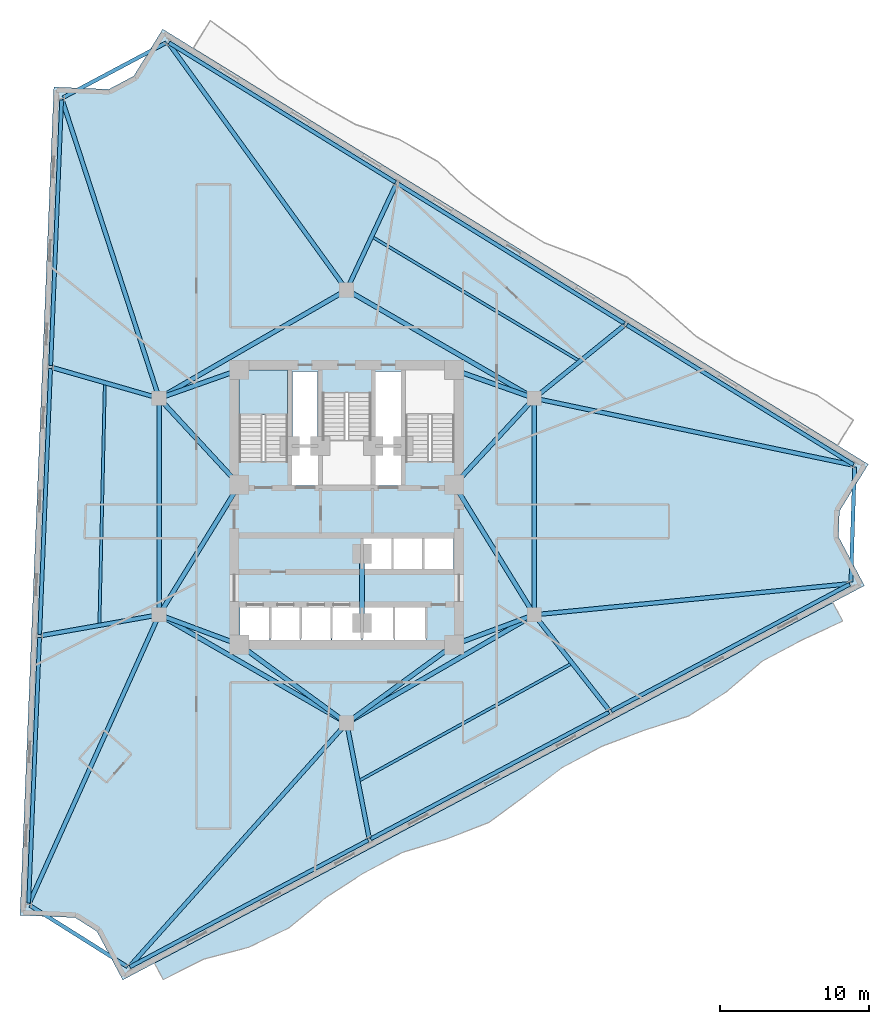
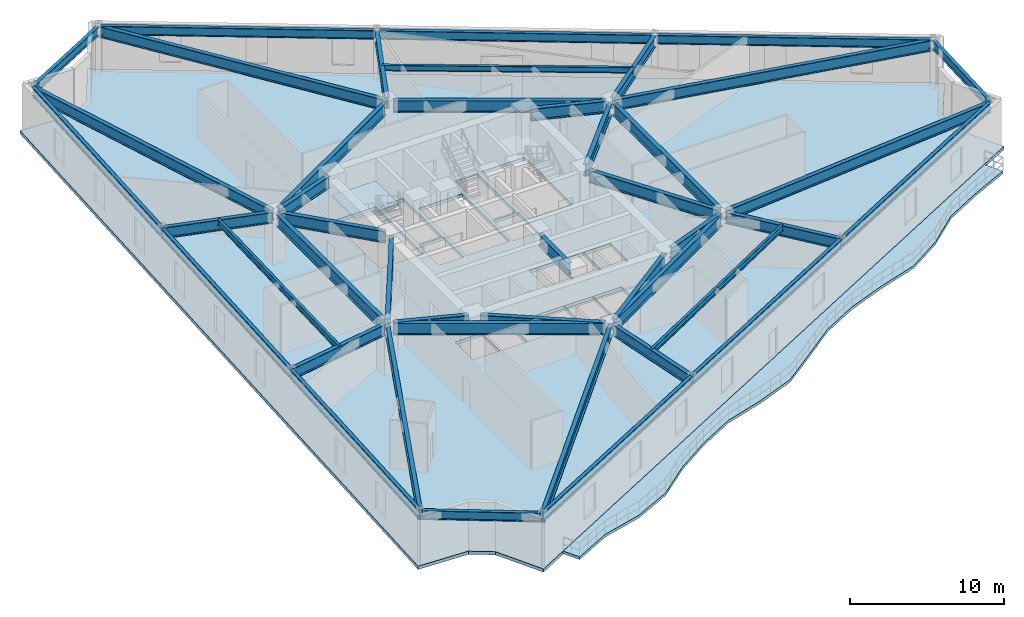
# One storey, part 3 of 11: 44 beams, 3 slabs, 1 element without a shape of its own.
"""IFC4 building model written with IfcOpenShell, lengths in metres."""

from ifc_helpers import new_model, si_unit, direction, frame, origin, origin_2d, place, context, subcontext, project, spatial, polyline, i_section, outline, extrude, material, layer, layer_set, material_profile, profile_set, type_object, element, aggregate, save


model = new_model("IFC4")

# Units and contexts
model_context = context("Model", 3, precision=1e-05, world=origin(), true_north=direction((0.0, 1.0)))
body_context = subcontext(model_context, "Body", "Model", "MODEL_VIEW")
ifc_project = project(units=[si_unit("LENGTHUNIT", "METRE"), si_unit("AREAUNIT", "SQUARE_METRE"), si_unit("VOLUMEUNIT", "CUBIC_METRE"), si_unit("PLANEANGLEUNIT", "RADIAN"), si_unit("MASSUNIT", "GRAM", prefix="KILO")], contexts=[model_context])

# Site, building, storey
site_placement = place(None, origin())
site = spatial("IfcSite", under=ifc_project, at=site_placement, CompositionType="ELEMENT")
building_placement = place(site_placement, origin())
building = spatial("IfcBuilding", under=site, at=building_placement, Name="Apsidion Concourse Tower", CompositionType="ELEMENT")
storey_placement = place(building_placement, frame((0.0, 0.0, 186.0)))
storey = spatial("IfcBuildingStorey", under=building, at=storey_placement, Name="L43", CompositionType="ELEMENT", Elevation=186.0)

# Beams
ifc_material_1 = material(Name="Structural steel ASTM A992 Grade 50", Category="steel")
ifc_material_profile_1 = material_profile(ifc_material_1, i_section(OverallWidth=0.19091796875, OverallDepth=0.45703125, WebThickness=0.009033203125, FlangeThickness=0.014404296875, at=origin_2d()), Name="W18X50")
ifc_profile_set_1 = profile_set([ifc_material_profile_1], Name="Structural steel ASTM A992 Grade 50")
beam_type_1 = type_object("IfcBeamType", Name="BM-FL-W18", PredefinedType="BEAM", material=ifc_profile_set_1)
beam_1_placement = place(storey_placement, frame((-16.192138671875, 8.29248046875, 3.62158203125), z_axis=(-0.022697860677, -0.999742370374, 0.0), x_axis=(0.999742370374, -0.022697860677, 0.0)))
element("IfcBeam", 1, at=beam_1_placement, inside=storey, type_object=beam_type_1, Name="L43 Secondary Floor Beam SEC-F1", PredefinedType="BEAM", context=body_context, shape_type="SweptSolid", body=[
    extrude(i_section(OverallWidth=0.19091796875, OverallDepth=0.45703125, WebThickness=0.009033203125, FlangeThickness=0.014404296875, at=origin_2d()), origin(), (0.0, 0.0, 1.0), 16.25244140625),
])
beam_2_placement = place(storey_placement, frame((0.760009765625, -18.40087890625, 3.62158203125), z_axis=(0.87560616621, 0.483025715355, 0.0), x_axis=(-0.483025715355, 0.87560616621, 0.0)))
element("IfcBeam", 2, at=beam_2_placement, inside=storey, type_object=beam_type_1, Name="L43 Secondary Floor Beam SEC-F2", PredefinedType="BEAM", context=body_context, shape_type="SweptSolid", body=[
    extrude(i_section(OverallWidth=0.19091796875, OverallDepth=0.45703125, WebThickness=0.009033203125, FlangeThickness=0.014404296875, at=origin_2d()), origin(), (0.0, 0.0, 1.0), 16.376708984375),
])
beam_3_placement = place(storey_placement, frame((15.619384765625, 9.7265625, 3.62158203125), z_axis=(-0.85795243344, 0.513729132865, 0.0), x_axis=(-0.513729132865, -0.85795243344, 0.0)))
element("IfcBeam", 3, at=beam_3_placement, inside=storey, type_object=beam_type_1, Name="L43 Secondary Floor Beam SEC-F3", PredefinedType="BEAM", context=body_context, shape_type="SweptSolid", body=[
    extrude(i_section(OverallWidth=0.19091796875, OverallDepth=0.45703125, WebThickness=0.009033203125, FlangeThickness=0.014404296875, at=origin_2d()), origin(), (0.0, 0.0, 1.0), 16.25537109375),
])
ifc_material_profile_2 = material_profile(ifc_material_1, i_section(OverallWidth=0.2919921875, OverallDepth=0.85888671875, WebThickness=0.01708984375, FlangeThickness=0.031005859375, at=origin_2d()), Name="W33X169")
ifc_profile_set_2 = profile_set([ifc_material_profile_2], Name="Structural steel ASTM A992 Grade 50")
beam_type_2 = type_object("IfcBeamType", Name="BM-G-W33", PredefinedType="USERDEFINED", material=ifc_profile_set_2)
beam_4_placement = place(storey_placement, frame((-12.6279296875, 7.459228515625, 3.42041015625), z_axis=(-0.309075984528, 0.95103734721, 0.0), x_axis=(-0.95103734721, -0.309075984528, 0.0)))
element("IfcBeam", 4, at=beam_4_placement, inside=storey, type_object=beam_type_2, Name="L43 Radial Floor Girder RAD-01", ObjectType="GIRDER", PredefinedType="USERDEFINED", context=body_context, shape_type="SweptSolid", body=[
    extrude(i_section(OverallWidth=0.2919921875, OverallDepth=0.85888671875, WebThickness=0.01708984375, FlangeThickness=0.031005859375, at=origin_2d()), origin(), (0.0, 0.0, 1.0), 20.794921875),
])
beam_5_placement = place(storey_placement, frame((-12.771484375, 7.310791015625, 3.42041015625), z_axis=(-0.961194838859, 0.275870407531, 0.0), x_axis=(-0.275870407531, -0.961194838859, 0.0)))
element("IfcBeam", 5, at=beam_5_placement, inside=storey, type_object=beam_type_2, Name="L43 Radial Floor Girder RAD-02", ObjectType="GIRDER", PredefinedType="USERDEFINED", context=body_context, shape_type="SweptSolid", body=[
    extrude(i_section(OverallWidth=0.2919921875, OverallDepth=0.85888671875, WebThickness=0.01708984375, FlangeThickness=0.031005859375, at=origin_2d()), origin(), (0.0, 0.0, 1.0), 7.2373046875),
])
beam_6_placement = place(storey_placement, frame((-12.776611328125, -7.2880859375, 3.42041015625), z_axis=(-0.9848005578, -0.173688978798, 0.0), x_axis=(0.173688978798, -0.9848005578, 0.0)))
element("IfcBeam", 6, at=beam_6_placement, inside=storey, type_object=beam_type_2, Name="L43 Radial Floor Girder RAD-03", ObjectType="GIRDER", PredefinedType="USERDEFINED", context=body_context, shape_type="SweptSolid", body=[
    extrude(i_section(OverallWidth=0.2919921875, OverallDepth=0.85888671875, WebThickness=0.01708984375, FlangeThickness=0.031005859375, at=origin_2d()), origin(), (0.0, 0.0, 1.0), 7.805419921875),
])
beam_7_placement = place(storey_placement, frame((-12.650390625, -7.45068359375, 3.42041015625), z_axis=(-0.410615485001, -0.911808600243, 0.0), x_axis=(0.911808600243, -0.410615485001, 0.0)))
element("IfcBeam", 7, at=beam_7_placement, inside=storey, type_object=beam_type_2, Name="L43 Radial Floor Girder RAD-04", ObjectType="GIRDER", PredefinedType="USERDEFINED", context=body_context, shape_type="SweptSolid", body=[
    extrude(i_section(OverallWidth=0.2919921875, OverallDepth=0.85888671875, WebThickness=0.01708984375, FlangeThickness=0.031005859375, at=origin_2d()), origin(), (0.0, 0.0, 1.0), 20.964599609375),
])
beam_8_placement = place(storey_placement, frame((-0.146484375, -14.664306640625, 3.42041015625), z_axis=(-0.665534428073, -0.746367151642, 0.0), x_axis=(0.746367151642, -0.665534428073, 0.0)))
element("IfcBeam", 8, at=beam_8_placement, inside=storey, type_object=beam_type_2, Name="L43 Radial Floor Girder RAD-05", ObjectType="GIRDER", PredefinedType="USERDEFINED", context=body_context, shape_type="SweptSolid", body=[
    extrude(i_section(OverallWidth=0.2919921875, OverallDepth=0.85888671875, WebThickness=0.01708984375, FlangeThickness=0.031005859375, at=origin_2d()), origin(), (0.0, 0.0, 1.0), 21.616455078125),
])
beam_9_placement = place(storey_placement, frame((0.0419921875, -14.7158203125, 3.42041015625), z_axis=(0.191214845848, -0.981548207032, 0.0), x_axis=(0.981548207032, 0.191214845848, 0.0)))
element("IfcBeam", 9, at=beam_9_placement, inside=storey, type_object=beam_type_2, Name="L43 Radial Floor Girder RAD-06", ObjectType="GIRDER", PredefinedType="USERDEFINED", context=body_context, shape_type="SweptSolid", body=[
    extrude(i_section(OverallWidth=0.2919921875, OverallDepth=0.85888671875, WebThickness=0.01708984375, FlangeThickness=0.031005859375, at=origin_2d()), origin(), (0.0, 0.0, 1.0), 7.62890625),
])
beam_10_placement = place(storey_placement, frame((12.69580078125, -7.423095703125, 3.42041015625), z_axis=(0.616838796002, -0.787089511902, 0.0), x_axis=(0.787089511902, 0.616838796002, 0.0)))
element("IfcBeam", 10, at=beam_10_placement, inside=storey, type_object=beam_type_2, Name="L43 Radial Floor Girder RAD-07", ObjectType="GIRDER", PredefinedType="USERDEFINED", context=body_context, shape_type="SweptSolid", body=[
    extrude(i_section(OverallWidth=0.2919921875, OverallDepth=0.85888671875, WebThickness=0.01708984375, FlangeThickness=0.031005859375, at=origin_2d()), origin(), (0.0, 0.0, 1.0), 7.914306640625),
])
beam_11_placement = place(storey_placement, frame((12.77880859375, -7.228515625, 3.42041015625), z_axis=(0.995176296258, 0.098102698054, 0.0), x_axis=(-0.098102698054, 0.995176296258, 0.0)))
element("IfcBeam", 11, at=beam_11_placement, inside=storey, type_object=beam_type_2, Name="L43 Radial Floor Girder RAD-08", ObjectType="GIRDER", PredefinedType="USERDEFINED", context=body_context, shape_type="SweptSolid", body=[
    extrude(i_section(OverallWidth=0.2919921875, OverallDepth=0.85888671875, WebThickness=0.01708984375, FlangeThickness=0.031005859375, at=origin_2d()), origin(), (0.0, 0.0, 1.0), 20.981689453125),
])
beam_12_placement = place(storey_placement, frame((12.775390625, 7.204833984375, 3.42041015625), z_axis=(0.978712115689, -0.20523789758, 0.0), x_axis=(0.20523789758, 0.978712115689, 0.0)))
element("IfcBeam", 12, at=beam_12_placement, inside=storey, type_object=beam_type_2, Name="L43 Radial Floor Girder RAD-09", ObjectType="GIRDER", PredefinedType="USERDEFINED", context=body_context, shape_type="SweptSolid", body=[
    extrude(i_section(OverallWidth=0.2919921875, OverallDepth=0.85888671875, WebThickness=0.01708984375, FlangeThickness=0.031005859375, at=origin_2d()), origin(), (0.0, 0.0, 1.0), 21.597412109375),
])
beam_13_placement = place(storey_placement, frame((12.73095703125, 7.388427734375, 3.42041015625), z_axis=(0.777235083984, 0.629210317958, 0.0), x_axis=(-0.629210317958, 0.777235083984, 0.0)))
element("IfcBeam", 13, at=beam_13_placement, inside=storey, type_object=beam_type_2, Name="L43 Radial Floor Girder RAD-10", ObjectType="GIRDER", PredefinedType="USERDEFINED", context=body_context, shape_type="SweptSolid", body=[
    extrude(i_section(OverallWidth=0.2919921875, OverallDepth=0.85888671875, WebThickness=0.01708984375, FlangeThickness=0.031005859375, at=origin_2d()), origin(), (0.0, 0.0, 1.0), 7.55224609375),
])
beam_14_placement = place(storey_placement, frame((0.09326171875, 14.69921875, 3.42041015625), z_axis=(0.423634804892, 0.905833070761, 0.0), x_axis=(-0.905833070761, 0.423634804892, 0.0)))
element("IfcBeam", 14, at=beam_14_placement, inside=storey, type_object=beam_type_2, Name="L43 Radial Floor Girder RAD-11", ObjectType="GIRDER", PredefinedType="USERDEFINED", context=body_context, shape_type="SweptSolid", body=[
    extrude(i_section(OverallWidth=0.2919921875, OverallDepth=0.85888671875, WebThickness=0.01708984375, FlangeThickness=0.031005859375, at=origin_2d()), origin(), (0.0, 0.0, 1.0), 7.578857421875),
])
beam_15_placement = place(storey_placement, frame((-0.12890625, 14.678466796875, 3.42041015625), z_axis=(-0.58524513155, 0.810856421321, 0.0), x_axis=(-0.810856421321, -0.58524513155, 0.0)))
element("IfcBeam", 15, at=beam_15_placement, inside=storey, type_object=beam_type_2, Name="L43 Radial Floor Girder RAD-12", ObjectType="GIRDER", PredefinedType="USERDEFINED", context=body_context, shape_type="SweptSolid", body=[
    extrude(i_section(OverallWidth=0.2919921875, OverallDepth=0.85888671875, WebThickness=0.01708984375, FlangeThickness=0.031005859375, at=origin_2d()), origin(), (0.0, 0.0, 1.0), 20.16015625),
])
ifc_material_profile_3 = material_profile(ifc_material_1, i_section(OverallWidth=0.31005859375, OverallDepth=0.931884765625, WebThickness=0.02099609375, FlangeThickness=0.034423828125, at=origin_2d()), Name="W36X210")
ifc_profile_set_3 = profile_set([ifc_material_profile_3], Name="Structural steel ASTM A992 Grade 50")
beam_type_3 = type_object("IfcBeamType", Name="BM-G-W36", PredefinedType="USERDEFINED", material=ifc_profile_set_3)
beam_16_placement = place(storey_placement, frame((-12.185302734375, -7.389892578125, 3.384033203125), z_axis=(0.936913021145, -0.349562570664, 0.0), x_axis=(0.349562570664, 0.936913021145, 0.0)))
element("IfcBeam", 16, at=beam_16_placement, inside=storey, type_object=beam_type_3, Name="L43 Core Coupling Girder IC1-SC1", ObjectType="GIRDER", PredefinedType="USERDEFINED", context=body_context, shape_type="SweptSolid", body=[
    extrude(i_section(OverallWidth=0.31005859375, OverallDepth=0.931884765625, WebThickness=0.02099609375, FlangeThickness=0.034423828125, at=origin_2d()), origin(), (0.0, 0.0, 1.0), 4.921142578125),
])
beam_17_placement = place(storey_placement, frame((-12.35009765625, -6.909423828125, 3.384033203125), z_axis=(0.524524009763, 0.851395656074, 0.0), x_axis=(-0.851395656074, 0.524524009763, 0.0)))
element("IfcBeam", 17, at=beam_17_placement, inside=storey, type_object=beam_type_3, Name="L43 Core Coupling Girder IC1-SC6", ObjectType="GIRDER", PredefinedType="USERDEFINED", context=body_context, shape_type="SweptSolid", body=[
    extrude(i_section(OverallWidth=0.31005859375, OverallDepth=0.931884765625, WebThickness=0.02099609375, FlangeThickness=0.034423828125, at=origin_2d()), origin(), (0.0, 0.0, 1.0), 9.41845703125),
])
beam_18_placement = place(storey_placement, frame((12.185302734375, -7.389892578125, 3.384033203125), z_axis=(-0.936913021145, -0.349562570664, 0.0), x_axis=(0.349562570664, -0.936913021145, 0.0)))
element("IfcBeam", 18, at=beam_18_placement, inside=storey, type_object=beam_type_3, Name="L43 Core Coupling Girder IC2-SC2", ObjectType="GIRDER", PredefinedType="USERDEFINED", context=body_context, shape_type="SweptSolid", body=[
    extrude(i_section(OverallWidth=0.31005859375, OverallDepth=0.931884765625, WebThickness=0.02099609375, FlangeThickness=0.034423828125, at=origin_2d()), origin(), (0.0, 0.0, 1.0), 4.921142578125),
])
beam_19_placement = place(storey_placement, frame((12.35009765625, -6.909423828125, 3.384033203125), z_axis=(-0.524524009763, 0.851395656074, 0.0), x_axis=(-0.851395656074, -0.524524009763, 0.0)))
element("IfcBeam", 19, at=beam_19_placement, inside=storey, type_object=beam_type_3, Name="L43 Core Coupling Girder IC2-SC3", ObjectType="GIRDER", PredefinedType="USERDEFINED", context=body_context, shape_type="SweptSolid", body=[
    extrude(i_section(OverallWidth=0.31005859375, OverallDepth=0.931884765625, WebThickness=0.02099609375, FlangeThickness=0.034423828125, at=origin_2d()), origin(), (0.0, 0.0, 1.0), 9.41845703125),
])
beam_20_placement = place(storey_placement, frame((12.28857421875, 6.956298828125, 3.384033203125), z_axis=(-0.678712876106, -0.73440372535, 0.0), x_axis=(0.73440372535, -0.678712876106, 0.0)))
element("IfcBeam", 20, at=beam_20_placement, inside=storey, type_object=beam_type_3, Name="L43 Core Coupling Girder IC3-SC3", ObjectType="GIRDER", PredefinedType="USERDEFINED", context=body_context, shape_type="SweptSolid", body=[
    extrude(i_section(OverallWidth=0.31005859375, OverallDepth=0.931884765625, WebThickness=0.02099609375, FlangeThickness=0.034423828125, at=origin_2d()), origin(), (0.0, 0.0, 1.0), 7.097412109375),
])
beam_21_placement = place(storey_placement, frame((12.18310546875, 7.383544921875, 3.384033203125), z_axis=(-0.942533844539, 0.334110688094, 0.0), x_axis=(-0.334110688094, -0.942533844539, 0.0)))
element("IfcBeam", 21, at=beam_21_placement, inside=storey, type_object=beam_type_3, Name="L43 Core Coupling Girder IC3-SC4", ObjectType="GIRDER", PredefinedType="USERDEFINED", context=body_context, shape_type="SweptSolid", body=[
    extrude(i_section(OverallWidth=0.31005859375, OverallDepth=0.931884765625, WebThickness=0.02099609375, FlangeThickness=0.034423828125, at=origin_2d()), origin(), (0.0, 0.0, 1.0), 4.886962890625),
])
beam_22_placement = place(storey_placement, frame((-12.28857421875, 6.956298828125, 3.384033203125), z_axis=(0.678712876106, -0.73440372535, 0.0), x_axis=(0.73440372535, 0.678712876106, 0.0)))
element("IfcBeam", 22, at=beam_22_placement, inside=storey, type_object=beam_type_3, Name="L43 Core Coupling Girder IC5-SC6", ObjectType="GIRDER", PredefinedType="USERDEFINED", context=body_context, shape_type="SweptSolid", body=[
    extrude(i_section(OverallWidth=0.31005859375, OverallDepth=0.931884765625, WebThickness=0.02099609375, FlangeThickness=0.034423828125, at=origin_2d()), origin(), (0.0, 0.0, 1.0), 7.097412109375),
])
beam_23_placement = place(storey_placement, frame((-12.18310546875, 7.383544921875, 3.384033203125), z_axis=(0.942533844539, 0.334110688094, 0.0), x_axis=(-0.334110688094, 0.942533844539, 0.0)))
element("IfcBeam", 23, at=beam_23_placement, inside=storey, type_object=beam_type_3, Name="L43 Core Coupling Girder IC5-SC5", ObjectType="GIRDER", PredefinedType="USERDEFINED", context=body_context, shape_type="SweptSolid", body=[
    extrude(i_section(OverallWidth=0.31005859375, OverallDepth=0.931884765625, WebThickness=0.02099609375, FlangeThickness=0.034423828125, at=origin_2d()), origin(), (0.0, 0.0, 1.0), 4.886962890625),
])
for number, where, z_axis, x_axis, name in (
    (24, (-0.3232421875, -14.264404296875, 3.384033203125), (-0.807993498909, 0.589191399905, 0.0), (-0.589191399905, -0.807993498909, 0.0), "L43 Core Coupling Girder IC6-SC1"),
    (25, (0.3232421875, -14.264404296875, 3.384033203125), (0.807993498909, 0.589191399905, 0.0), (-0.589191399905, 0.807993498909, 0.0), "L43 Core Coupling Girder IC6-SC2"),
):
    element("IfcBeam", number, at=place(storey_placement, frame(where, z_axis=z_axis, x_axis=x_axis)), inside=storey, type_object=beam_type_3, Name=name, ObjectType="GIRDER", PredefinedType="USERDEFINED", context=body_context, shape_type="SweptSolid", body=[
        extrude(i_section(OverallWidth=0.31005859375, OverallDepth=0.931884765625, WebThickness=0.02099609375, FlangeThickness=0.034423828125, at=origin_2d()), origin(), (0.0, 0.0, 1.0), 8.11083984375),
    ])
beam_24_placement = place(storey_placement, frame((-12.56005859375, -6.85009765625, 3.384033203125), z_axis=(0.0, 1.0, 0.0), x_axis=(-1.0, 0.0, 0.0)))
element("IfcBeam", 26, at=beam_24_placement, inside=storey, type_object=beam_type_3, Name="L43 Core Coupling Girder IC1-IC5", ObjectType="GIRDER", PredefinedType="USERDEFINED", context=body_context, shape_type="SweptSolid", body=[
    extrude(i_section(OverallWidth=0.31005859375, OverallDepth=0.931884765625, WebThickness=0.02099609375, FlangeThickness=0.034423828125, at=origin_2d()), origin(), (0.0, 0.0, 1.0), 13.7001953125),
])
for number, where, z_axis, x_axis, name in (
    (27, (-12.213623046875, 7.449951171875, 3.384033203125), (0.866070471464, 0.499921932364, 0.0), (-0.499921932364, 0.866070471464, 0.0), "L43 Core Coupling Girder IC5-IC4"),
    (28, (0.346435546875, 14.300048828125, 3.384033203125), (0.866070471464, -0.499921932364, 0.0), (0.499921932364, 0.866070471464, 0.0), "L43 Core Coupling Girder IC4-IC3"),
):
    element("IfcBeam", number, at=place(storey_placement, frame(where, z_axis=z_axis, x_axis=x_axis)), inside=storey, type_object=beam_type_3, Name=name, ObjectType="GIRDER", PredefinedType="USERDEFINED", context=body_context, shape_type="SweptSolid", body=[
        extrude(i_section(OverallWidth=0.31005859375, OverallDepth=0.931884765625, WebThickness=0.02099609375, FlangeThickness=0.034423828125, at=origin_2d()), origin(), (0.0, 0.0, 1.0), 13.702392578125),
    ])
beam_25_placement = place(storey_placement, frame((12.56005859375, 6.85009765625, 3.384033203125), z_axis=(0.0, -1.0, 0.0), x_axis=(1.0, 0.0, 0.0)))
element("IfcBeam", 29, at=beam_25_placement, inside=storey, type_object=beam_type_3, Name="L43 Core Coupling Girder IC3-IC2", ObjectType="GIRDER", PredefinedType="USERDEFINED", context=body_context, shape_type="SweptSolid", body=[
    extrude(i_section(OverallWidth=0.31005859375, OverallDepth=0.931884765625, WebThickness=0.02099609375, FlangeThickness=0.034423828125, at=origin_2d()), origin(), (0.0, 0.0, 1.0), 13.7001953125),
])
for number, where, z_axis, x_axis, name in (
    (30, (12.213623046875, -7.449951171875, 3.384033203125), (-0.866070471464, -0.499921932364, 0.0), (0.499921932364, -0.866070471464, 0.0), "L43 Core Coupling Girder IC2-IC6"),
    (31, (-0.346435546875, -14.300048828125, 3.384033203125), (-0.866070471464, 0.499921932364, 0.0), (-0.499921932364, -0.866070471464, 0.0), "L43 Core Coupling Girder IC6-IC1"),
):
    element("IfcBeam", number, at=place(storey_placement, frame(where, z_axis=z_axis, x_axis=x_axis)), inside=storey, type_object=beam_type_3, Name=name, ObjectType="GIRDER", PredefinedType="USERDEFINED", context=body_context, shape_type="SweptSolid", body=[
        extrude(i_section(OverallWidth=0.31005859375, OverallDepth=0.931884765625, WebThickness=0.02099609375, FlangeThickness=0.034423828125, at=origin_2d()), origin(), (0.0, 0.0, 1.0), 13.702392578125),
    ])
beam_26_placement = place(storey_placement, frame((1.02490234375, -3.550048828125, 3.384033203125), z_axis=(0.0, -1.0, 0.0), x_axis=(1.0, 0.0, 0.0)))
element("IfcBeam", 32, at=beam_26_placement, inside=storey, type_object=beam_type_3, Name="L43 Core Coupling Girder CC5-CC6", ObjectType="GIRDER", PredefinedType="USERDEFINED", context=body_context, shape_type="SweptSolid", body=[
    extrude(i_section(OverallWidth=0.31005859375, OverallDepth=0.931884765625, WebThickness=0.02099609375, FlangeThickness=0.034423828125, at=origin_2d()), origin(), (0.0, 0.0, 1.0), 3.849853515625),
])
ifc_material_profile_4 = material_profile(ifc_material_1, i_section(OverallWidth=0.256103515625, OverallDepth=0.693115234375, WebThickness=0.014404296875, FlangeThickness=0.023681640625, at=origin_2d()), Name="W27X114")
ifc_profile_set_4 = profile_set([ifc_material_profile_4], Name="Structural steel ASTM A992 Grade 50")
beam_type_4 = type_object("IfcBeamType", Name="BM-SP-W27", PredefinedType="SPANDREL", material=ifc_profile_set_4)
beam_27_placement = place(storey_placement, frame((-19.090087890625, 27.2314453125, 3.50341796875), z_axis=(-0.040983440282, -0.999159825865, 0.0), x_axis=(0.999159825865, -0.040983440282, 0.0)))
element("IfcBeam", 33, at=beam_27_placement, inside=storey, type_object=beam_type_4, Name="L43 Perimeter Spandrel Girder SP-01", PredefinedType="SPANDREL", context=body_context, shape_type="SweptSolid", body=[
    extrude(i_section(OverallWidth=0.256103515625, OverallDepth=0.693115234375, WebThickness=0.014404296875, FlangeThickness=0.023681640625, at=origin_2d()), origin(), (0.0, 0.0, 1.0), 17.8115234375),
])
for number, where, z_axis, x_axis, name in (
    (34, (-19.828125, 9.235107421875, 3.50341796875), (-0.040970317559, -0.999160364045, 0.0), (0.999160364045, -0.040970317559, 0.0), "L43 Perimeter Spandrel Girder SP-02"),
    (35, (-20.566162109375, -8.76123046875, 3.50341796875), (-0.040970317559, -0.999160364045, 0.0), (0.999160364045, -0.040970317559, 0.0), "L43 Perimeter Spandrel Girder SP-03"),
):
    element("IfcBeam", number, at=place(storey_placement, frame(where, z_axis=z_axis, x_axis=x_axis)), inside=storey, type_object=beam_type_4, Name=name, PredefinedType="SPANDREL", context=body_context, shape_type="SweptSolid", body=[
        extrude(i_section(OverallWidth=0.256103515625, OverallDepth=0.693115234375, WebThickness=0.014404296875, FlangeThickness=0.023681640625, at=origin_2d()), origin(), (0.0, 0.0, 1.0), 17.811279296875),
    ])
beam_28_placement = place(storey_placement, frame((-21.21533203125, -26.710693359375, 3.50341796875), z_axis=(0.846430391353, -0.532499382718, 0.0), x_axis=(0.532499382718, 0.846430391353, 0.0)))
element("IfcBeam", 36, at=beam_28_placement, inside=storey, type_object=beam_type_4, Name="L43 Perimeter Spandrel Girder SP-04", PredefinedType="SPANDREL", context=body_context, shape_type="SweptSolid", body=[
    extrude(i_section(OverallWidth=0.256103515625, OverallDepth=0.693115234375, WebThickness=0.014404296875, FlangeThickness=0.023681640625, at=origin_2d()), origin(), (0.0, 0.0, 1.0), 7.71630859375),
])
beam_29_placement = place(storey_placement, frame((-14.51123046875, -30.825927734375, 3.50341796875), z_axis=(0.882942871348, 0.46948044255, 0.0), x_axis=(-0.46948044255, 0.882942871348, 0.0)))
element("IfcBeam", 37, at=beam_29_placement, inside=storey, type_object=beam_type_4, Name="L43 Perimeter Spandrel Girder SP-05", PredefinedType="SPANDREL", context=body_context, shape_type="SweptSolid", body=[
    extrude(i_section(OverallWidth=0.256103515625, OverallDepth=0.693115234375, WebThickness=0.014404296875, FlangeThickness=0.023681640625, at=origin_2d()), origin(), (0.0, 0.0, 1.0), 18.05615234375),
])
for number, where, z_axis, x_axis, name in (
    (38, (1.608154296875, -22.255126953125, 3.50341796875), (0.88294585151, 0.469474837771, 0.0), (-0.469474837771, 0.88294585151, 0.0), "L43 Perimeter Spandrel Girder SP-06"),
    (39, (17.7275390625, -13.68408203125, 3.50341796875), (0.882951456204, 0.469464296819, 0.0), (-0.469464296819, 0.882951456204, 0.0), "L43 Perimeter Spandrel Girder SP-07"),
):
    element("IfcBeam", number, at=place(storey_placement, frame(where, z_axis=z_axis, x_axis=x_axis)), inside=storey, type_object=beam_type_4, Name=name, PredefinedType="SPANDREL", context=body_context, shape_type="SweptSolid", body=[
        extrude(i_section(OverallWidth=0.256103515625, OverallDepth=0.693115234375, WebThickness=0.014404296875, FlangeThickness=0.023681640625, at=origin_2d()), origin(), (0.0, 0.0, 1.0), 18.056396484375),
    ])
beam_30_placement = place(storey_placement, frame((33.761962890625, -5.060302734375, 3.50341796875), z_axis=(0.031862000175, 0.999492277581, 0.0), x_axis=(-0.999492277581, 0.031862000175, 0.0)))
element("IfcBeam", 40, at=beam_30_placement, inside=storey, type_object=beam_type_4, Name="L43 Perimeter Spandrel Girder SP-08", PredefinedType="SPANDREL", context=body_context, shape_type="SweptSolid", body=[
    extrude(i_section(OverallWidth=0.256103515625, OverallDepth=0.693115234375, WebThickness=0.014404296875, FlangeThickness=0.023681640625, at=origin_2d()), origin(), (0.0, 0.0, 1.0), 7.716064453125),
])
for number, where, z_axis, x_axis, name in (
    (41, (33.92578125, 2.80419921875, 3.50341796875), (-0.851253326815, 0.524754965281, 0.0), (-0.524754965281, -0.851253326815, 0.0), "L43 Perimeter Spandrel Girder SP-09"),
    (42, (18.593505859375, 12.255859375, 3.50341796875), (-0.851253326815, 0.524754965281, 0.0), (-0.524754965281, -0.851253326815, 0.0), "L43 Perimeter Spandrel Girder SP-10"),
    (43, (3.26123046875, 21.70751953125, 3.50341796875), (-0.851253326815, 0.524754965281, 0.0), (-0.524754965281, -0.851253326815, 0.0), "L43 Perimeter Spandrel Girder SP-11"),
):
    element("IfcBeam", number, at=place(storey_placement, frame(where, z_axis=z_axis, x_axis=x_axis)), inside=storey, type_object=beam_type_4, Name=name, PredefinedType="SPANDREL", context=body_context, shape_type="SweptSolid", body=[
        extrude(i_section(OverallWidth=0.256103515625, OverallDepth=0.693115234375, WebThickness=0.014404296875, FlangeThickness=0.023681640625, at=origin_2d()), origin(), (0.0, 0.0, 1.0), 17.8115234375),
    ])
beam_31_placement = place(storey_placement, frame((-12.07421875, 31.059814453125, 3.50341796875), z_axis=(-0.882931431511, -0.469501956599, 0.0), x_axis=(0.469501956599, -0.882931431511, 0.0)))
element("IfcBeam", 44, at=beam_31_placement, inside=storey, type_object=beam_type_4, Name="L43 Perimeter Spandrel Girder SP-12", PredefinedType="SPANDREL", context=body_context, shape_type="SweptSolid", body=[
    extrude(i_section(OverallWidth=0.256103515625, OverallDepth=0.693115234375, WebThickness=0.014404296875, FlangeThickness=0.023681640625, at=origin_2d()), origin(), (0.0, 0.0, 1.0), 7.841552734375),
])

# Slabs
ifc_material_2 = material(Name="Concrete C50/60", Category="concrete")
ifc_layer_1 = layer(ifc_material_2, 0.219970703125)
ifc_layer_set_1 = layer_set([ifc_layer_1], Name="Concrete C50/60")
slab_type_1 = type_object("IfcSlabType", Name="SL-BAL-220", PredefinedType="FLOOR", material=ifc_layer_set_1)
slab_1_placement = place(storey_placement, frame((0.0, 0.0, -0.219970703125)))
element("IfcSlab", 45, at=slab_1_placement, inside=storey, type_object=slab_type_1, Name="L43 Face 2 Rippling Balcony Slab", PredefinedType="FLOOR", context=body_context, shape_type="SweptSolid", body=[
    extrude(outline(polyline([(-12.8740234375, -30.578369140625), (-10.2021484375, -29.15771484375), (-7.530029296875, -27.73681640625), (-4.858154296875, -26.316162109375), (-2.18603515625, -24.8955078125), (0.48583984375, -23.474609375), (3.15771484375, -22.053955078125), (5.829833984375, -20.63330078125), (8.501708984375, -19.212646484375), (11.173583984375, -17.791748046875), (13.845703125, -16.37109375), (16.517578125, -14.950439453125), (19.189697265625, -13.52978515625), (21.861572265625, -12.10888671875), (24.53369140625, -10.688232421875), (27.20556640625, -9.267578125), (29.877685546875, -7.8466796875), (32.549560546875, -6.426025390625), (33.211181640625, -7.670654296875), (30.46435546875, -8.950439453125), (27.79248046875, -10.37109375), (25.44384765625, -12.400146484375), (22.88427734375, -14.0322265625), (19.954833984375, -14.968994140625), (17.1044921875, -16.05419921875), (14.4326171875, -17.474853515625), (11.99169921875, -19.330078125), (9.53369140625, -21.153076171875), (6.694091796875, -22.259033203125), (3.74462890625, -23.15771484375), (1.07275390625, -24.578369140625), (-1.470947265625, -26.240478515625), (-3.852294921875, -28.2080078125), (-6.582275390625, -29.51953125), (-9.588134765625, -30.31201171875), (-12.287109375, -31.681884765625), (-12.8740234375, -30.578369140625)])), origin(), (0.0, 0.0, 1.0), 0.219970703125),
])
ifc_layer_2 = layer(ifc_material_2, 0.25)
ifc_layer_set_2 = layer_set([ifc_layer_2], Name="Concrete C50/60")
slab_type_2 = type_object("IfcSlabType", Name="SL-FLR-250", PredefinedType="FLOOR", material=ifc_layer_set_2)
slab_2_placement = place(storey_placement, frame((0.0, 0.0, -0.25)))
element("IfcSlab", 46, at=slab_2_placement, inside=storey, type_object=slab_type_2, Name="L43 Structural Floor Slab", PredefinedType="FLOOR", context=body_context, shape_type="SweptSolid", body=[
    extrude(outline(polyline([(-12.3203125, 31.964111328125), (-14.256103515625, 28.824951171875), (-15.925048828125, 27.937744140625), (-19.610107421875, 28.088134765625), (-21.87548828125, -27.376220703125), (-18.1904296875, -27.526611328125), (-16.724609375, -28.448486328125), (-14.9931640625, -31.705078125), (34.668701171875, -5.29931640625), (32.937255859375, -2.04296875), (32.992431640625, -0.31201171875), (34.92822265625, 2.826904296875), (-12.3203125, 31.964111328125)]), holes=[polyline([(-3.949951171875, 3.0), (-3.949951171875, 9.14990234375), (-7.199951171875, 9.14990234375), (-7.199951171875, 3.0), (-3.949951171875, 3.0)]), polyline([(7.199951171875, 3.0), (7.199951171875, 9.14990234375), (3.949951171875, 9.14990234375), (3.949951171875, 3.0), (7.199951171875, 3.0)]), polyline([(-1.625, 7.60009765625), (-1.625, 1.449951171875), (1.625, 1.449951171875), (1.625, 7.60009765625), (-1.625, 7.60009765625)]), polyline([(1.054931640625, -4.300048828125), (3.044921875, -4.300048828125), (3.044921875, -2.050048828125), (1.054931640625, -2.050048828125), (1.054931640625, -4.300048828125)]), polyline([(3.10498046875, -4.300048828125), (5.094970703125, -4.300048828125), (5.094970703125, -2.050048828125), (3.10498046875, -2.050048828125), (3.10498046875, -4.300048828125)]), polyline([(5.155029296875, -4.300048828125), (7.14501953125, -4.300048828125), (7.14501953125, -2.050048828125), (5.155029296875, -2.050048828125), (5.155029296875, -4.300048828125)]), polyline([(-7.14501953125, -8.949951171875), (-5.155029296875, -8.949951171875), (-5.155029296875, -6.64990234375), (-7.14501953125, -6.64990234375), (-7.14501953125, -8.949951171875)]), polyline([(-5.094970703125, -8.949951171875), (-3.10498046875, -8.949951171875), (-3.10498046875, -6.64990234375), (-5.094970703125, -6.64990234375), (-5.094970703125, -8.949951171875)]), polyline([(-3.044921875, -8.949951171875), (-1.054931640625, -8.949951171875), (-1.054931640625, -6.64990234375), (-3.044921875, -6.64990234375), (-3.044921875, -8.949951171875)]), polyline([(-0.9951171875, -8.949951171875), (0.9951171875, -8.949951171875), (0.9951171875, -6.64990234375), (-0.9951171875, -6.64990234375), (-0.9951171875, -8.949951171875)]), polyline([(1.044921875, -9.0), (3.155029296875, -9.0), (3.155029296875, -6.64990234375), (1.044921875, -6.64990234375), (1.044921875, -9.0)]), polyline([(3.195068359375, -9.0), (5.304931640625, -9.0), (5.304931640625, -6.64990234375), (3.195068359375, -6.64990234375), (3.195068359375, -9.0)]), polyline([(-3.7099609375, 1.39990234375), (-1.85009765625, 1.39990234375), (-1.85009765625, 4.0), (-3.7099609375, 4.0), (-3.7099609375, 1.39990234375)]), polyline([(1.85009765625, 1.39990234375), (3.7099609375, 1.39990234375), (3.7099609375, 4.0), (1.85009765625, 4.0), (1.85009765625, 1.39990234375)]), polyline([(-3.6201171875, 4.14990234375), (-1.93994140625, 4.14990234375), (-1.93994140625, 9.050048828125), (-3.6201171875, 9.050048828125), (-3.6201171875, 4.14990234375)]), polyline([(1.93994140625, 4.14990234375), (3.6201171875, 4.14990234375), (3.6201171875, 9.050048828125), (1.93994140625, 9.050048828125), (1.93994140625, 4.14990234375)])]), origin(), (0.0, 0.0, 1.0), 0.25),
])

# Stair, slab
ifc_material_3 = material(Name="Precast concrete C40/50", Category="concrete")
stair_type = type_object("IfcStairType", Name="ST-DL-1550", PredefinedType="HALF_TURN_STAIR", material=ifc_material_3)
stair_placement = place(storey_placement, origin())
stair = element("IfcStair", 47, at=stair_placement, inside=storey, type_object=stair_type, Name="L43 Protected Core Exit Stair ST1", PredefinedType="HALF_TURN_STAIR")
ifc_layer_3 = layer(ifc_material_2, 0.199951171875)
ifc_layer_set_3 = layer_set([ifc_layer_3], Name="Concrete C50/60")
slab_type_3 = type_object("IfcSlabType", Name="SL-ST-LAND-200", PredefinedType="LANDING", material=ifc_layer_set_3)
slab_3_placement = place(storey_placement, frame((0.0, 0.0, 1.85009765625)))
slab_3 = element("IfcSlab", 48, at=slab_3_placement, type_object=slab_type_3, Name="ST1 landing 1", PredefinedType="LANDING", context=body_context, shape_type="SweptSolid", body=[
    extrude(outline(polyline([(-3.949951171875, 6.135009765625), (-3.949951171875, 9.14990234375), (-7.199951171875, 9.14990234375), (-7.199951171875, 6.135009765625), (-3.949951171875, 6.135009765625)])), origin(), (0.0, 0.0, 1.0), 0.199951171875),
])
aggregate(stair, [slab_3])

save(model, "model.ifc")
